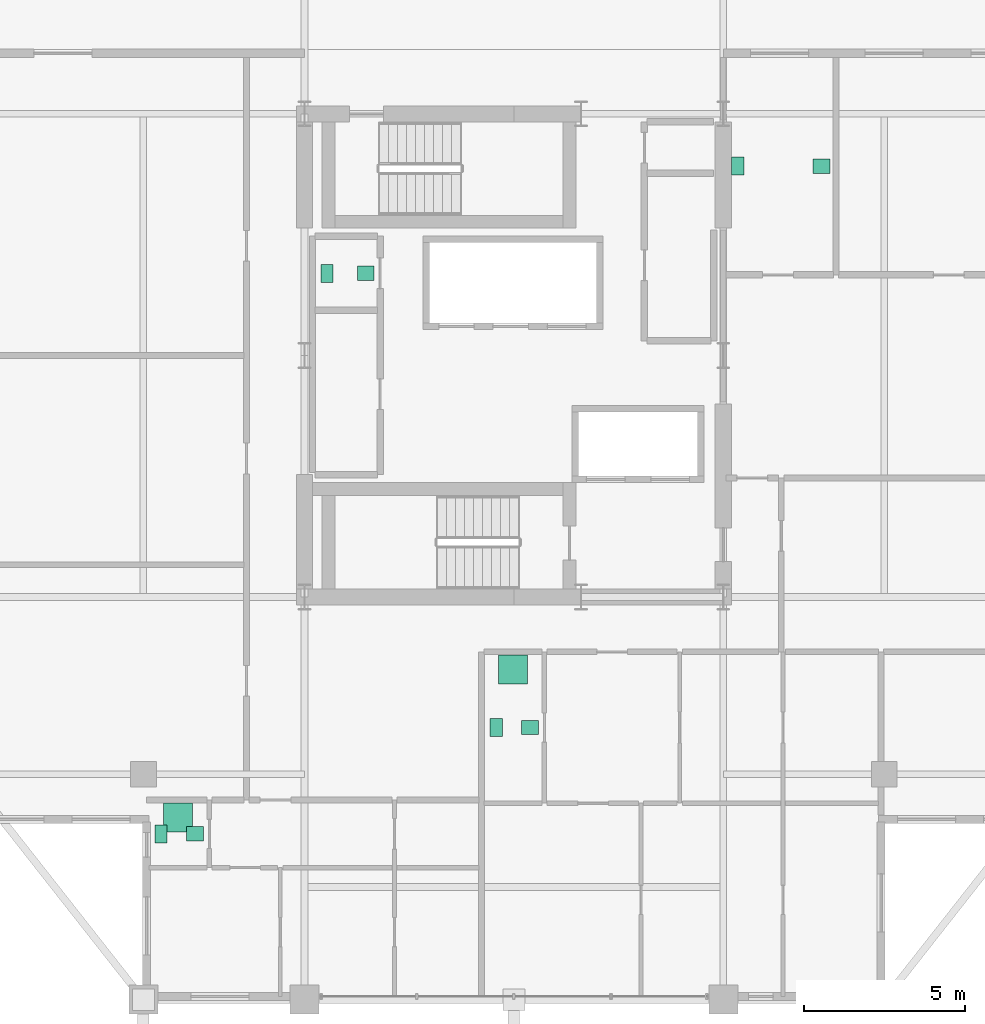
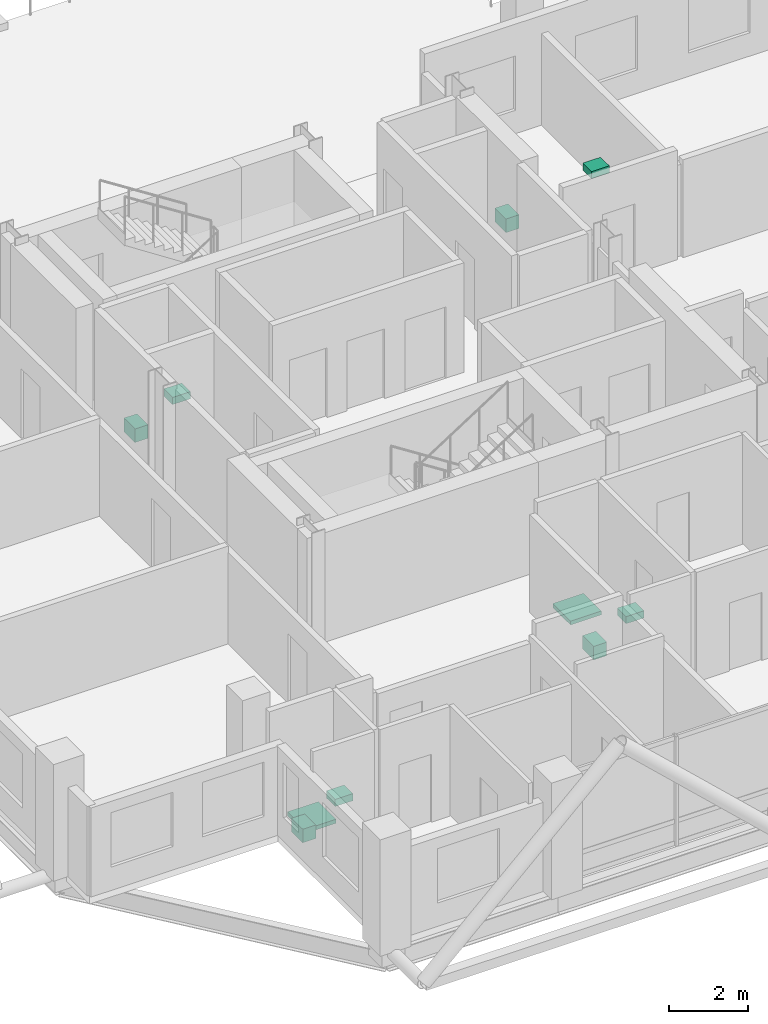
# One storey, part 21 of 21: 10 sanitary terminals.
"""IFC4 building model written with IfcOpenShell, lengths in metres."""

import ifcopenshell
import ifcopenshell.guid

model = None  # the IFC model being written
_history = None  # IfcOwnerHistory: only IFC2X3 demands one
_inside = {}  # id of a spatial element -> (the spatial element, [elements in it])
_under = {}  # id of a project, library or spatial element -> (it, [spatial elements below it])
_declared = {}  # id of a project -> (the project, [libraries it declares])
_typed = {}  # id of a type object -> (the type object, [elements of that type])
_made_of = {}  # id of a material, layer set ... -> (it, [elements and type objects made of it])


def new_model(schema):
    """Start an empty IFC model of exactly this schema.

    Asked for "IFC4X3", IfcOpenShell would pick the latest addendum, in which some entities
    have other attributes; the version numbers below select the first issue.
    IFC2X3 requires an IfcOwnerHistory on every rooted entity: one is made here for all.
    """
    global model, _history
    if schema == "IFC4X3":
        model = ifcopenshell.file(schema_version=(4, 3, 0, 0))
    else:
        model = ifcopenshell.file(schema=schema)
    _inside.clear()
    _under.clear()
    _declared.clear()
    _typed.clear()
    _made_of.clear()
    _history = None
    if model.schema == "IFC2X3":
        org = make("IfcOrganization", Name="unknown")
        user = make(
            "IfcPersonAndOrganization",
            ThePerson=make("IfcPerson", FamilyName="unknown"),
            TheOrganization=org,
        )
        app = make(
            "IfcApplication",
            ApplicationDeveloper=org,
            Version="unknown",
            ApplicationFullName="unknown",
            ApplicationIdentifier="unknown",
        )
        _history = make(
            "IfcOwnerHistory",
            OwningUser=user,
            OwningApplication=app,
            ChangeAction="ADDED",
            CreationDate=0,
        )
    return model


def make(cls, **values):
    """One entity of the class cls with the attributes given. An attribute that is None is left unset."""
    return model.create_entity(
        cls, **{name: value for name, value in values.items() if value is not None}
    )


def rooted(cls, **values):
    """An entity with a GlobalId (a new one), such as an element, a storey or a relation."""
    return make(cls, GlobalId=ifcopenshell.guid.new(), OwnerHistory=_history, **values)


def si_unit(unit_type, name, prefix=None):
    """IfcSIUnit, for example si_unit("LENGTHUNIT", "METRE", prefix="MILLI")."""
    return make("IfcSIUnit", UnitType=unit_type, Prefix=prefix, Name=name)


def assignment(units):
    """IfcUnitAssignment: the units of a project."""
    return None if units is None else make("IfcUnitAssignment", Units=units)


def point(xyz):
    """IfcCartesianPoint."""
    return None if xyz is None else make("IfcCartesianPoint", Coordinates=xyz)


def direction(xyz):
    """IfcDirection."""
    return None if xyz is None else make("IfcDirection", DirectionRatios=xyz)


def frame(location, z_axis=None, x_axis=None):
    """IfcAxis2Placement3D, a coordinate frame: its origin and axes. An axis left out is left unset."""
    return make(
        "IfcAxis2Placement3D",
        Location=point(location),
        Axis=direction(z_axis),
        RefDirection=direction(x_axis),
    )


def frame_2d(location, x_axis=None):
    """IfcAxis2Placement2D, a coordinate frame in the plane: its origin and x axis."""
    return make(
        "IfcAxis2Placement2D", Location=point(location), RefDirection=direction(x_axis)
    )


def origin():
    """The frame at (0, 0, 0) with its axes left unset."""
    return frame((0.0, 0.0, 0.0))


def origin_2d():
    """The frame at (0, 0) in the plane with its x axis left unset."""
    return frame_2d((0.0, 0.0))


def place(relative_to, where):
    """IfcLocalPlacement: puts the frame where relative to a parent placement (None: the world)."""
    return make(
        "IfcLocalPlacement", PlacementRelTo=relative_to, RelativePlacement=where
    )


def context(
    kind, dimensions, precision=None, world=None, true_north=None, identifier=None
):
    """IfcGeometricRepresentationContext, for example the 3D "Model" context."""
    return make(
        "IfcGeometricRepresentationContext",
        ContextIdentifier=identifier,
        ContextType=kind,
        CoordinateSpaceDimension=dimensions,
        Precision=precision,
        WorldCoordinateSystem=world,
        TrueNorth=true_north,
    )


def subcontext(parent, identifier, kind, view, scale=None):
    """IfcGeometricRepresentationSubContext, for example "Body" below "Model"."""
    return make(
        "IfcGeometricRepresentationSubContext",
        ContextIdentifier=identifier,
        ContextType=kind,
        ParentContext=parent,
        TargetScale=scale,
        TargetView=view,
    )


def project(units=None, contexts=None):
    """IfcProject with its units and contexts."""
    return rooted(
        "IfcProject",
        Name="project",
        RepresentationContexts=contexts,
        UnitsInContext=assignment(units),
    )


def spatial(cls, under=None, at=None, **own):
    """A site, building, storey or space (cls), placed at a placement, below another one or the project."""
    s = rooted(cls, ObjectPlacement=at, **own)
    if under is not None:
        _under.setdefault(under.id(), (under, []))[1].append(s)
    return s


def profile(cls, at=None, kind="AREA", **sizes):
    """A parametric profile (cls). Its sizes go by their IFC names, for example OverallWidth=200.0."""
    return make(cls, ProfileType=kind, Position=at, **sizes)


def rectangle(**sizes):
    """IfcRectangleProfileDef."""
    return profile("IfcRectangleProfileDef", **sizes)


def extrude(swept, where, along, depth):
    """IfcExtrudedAreaSolid: the profile swept, set in the frame where, extruded along a direction by depth."""
    return make(
        "IfcExtrudedAreaSolid",
        SweptArea=swept,
        Position=where,
        ExtrudedDirection=direction(along),
        Depth=depth,
    )


def shape(context_of_items, identifier, shape_type, items):
    """IfcShapeRepresentation: the items that make up one representation, for example the "Body"."""
    return make(
        "IfcShapeRepresentation",
        ContextOfItems=context_of_items,
        RepresentationIdentifier=identifier,
        RepresentationType=shape_type,
        Items=items,
    )


def material(Name=None, Category=None):
    """IfcMaterial."""
    return make("IfcMaterial", Name=Name, Category=Category)


def made_of(thing, what):
    """Note that an element or type object is made of a material, layer set ...; save() writes the relation."""
    if what is not None:
        _made_of.setdefault(what.id(), (what, []))[1].append(thing)
    return thing


def type_object(cls, material=None, **own):
    """A type object (cls), such as IfcWallType, which elements share."""
    return made_of(rooted(cls, **own), material)


def element(
    cls,
    number,
    at=None,
    inside=None,
    cuts=None,
    type_object=None,
    material=None,
    context=None,
    identifier="Body",
    shape_type=None,
    held_by="IfcProductDefinitionShape",
    body=None,
    shapes=None,
    **own,
):
    """One element of the class cls, such as IfcWall. Its Tag is "e" and its number.

    at: its placement. inside: the storey or other place that contains it. cuts: it is an
    opening in that element (IfcRelVoidsElement). A single representation is given by context,
    identifier, shape_type and body (its items); several are given by shapes. held_by: the class
    of the entity that holds the representations. save() writes the other relations.
    """
    e = rooted(cls, Tag="e%d" % number, ObjectPlacement=at, **own)
    if body is not None:
        shapes = [shape(context, identifier, shape_type, body)]
    if shapes is not None:
        e.Representation = make(held_by, Representations=shapes)
    if inside is not None:
        _inside.setdefault(inside.id(), (inside, []))[1].append(e)
    if cuts is not None:
        rooted(
            "IfcRelVoidsElement", RelatingBuildingElement=cuts, RelatedOpeningElement=e
        )
    if type_object is not None:
        _typed.setdefault(type_object.id(), (type_object, []))[1].append(e)
    return made_of(e, material)


def aggregate(whole, parts):
    """IfcRelAggregates: a whole, such as a stair, and the parts it consists of."""
    return rooted("IfcRelAggregates", RelatingObject=whole, RelatedObjects=parts)


def save(model, path):
    """Write the relations noted so far, then the file.

    IfcRelAggregates (storeys below a building ...), IfcRelContainedInSpatialStructure (elements
    in a storey), IfcRelDefinesByType, IfcRelAssociatesMaterial and IfcRelDeclares: one each for
    every whole, place, type object, material and project.
    """
    for whole, parts in _under.values():
        aggregate(whole, parts)
    for where, things in _inside.values():
        rooted(
            "IfcRelContainedInSpatialStructure",
            RelatedElements=things,
            RelatingStructure=where,
        )
    for kind, things in _typed.values():
        rooted("IfcRelDefinesByType", RelatedObjects=things, RelatingType=kind)
    for what, things in _made_of.values():
        rooted("IfcRelAssociatesMaterial", RelatedObjects=things, RelatingMaterial=what)
    for by, libraries in _declared.values():
        rooted("IfcRelDeclares", RelatingContext=by, RelatedDefinitions=libraries)
    model.write(path)


model = new_model("IFC4")

# Units and contexts
model_context = context("Model", 3, precision=1e-05, world=origin(), true_north=direction((0.0, 1.0)))
body_context = subcontext(model_context, "Body", "Model", "MODEL_VIEW")
ifc_project = project(units=[si_unit("LENGTHUNIT", "METRE"), si_unit("AREAUNIT", "SQUARE_METRE"), si_unit("VOLUMEUNIT", "CUBIC_METRE"), si_unit("PLANEANGLEUNIT", "RADIAN"), si_unit("MASSUNIT", "GRAM", prefix="KILO")], contexts=[model_context])

# Site, building, storey
site_placement = place(None, origin())
site = spatial("IfcSite", under=ifc_project, at=site_placement, CompositionType="ELEMENT")
building_placement = place(site_placement, origin())
building = spatial("IfcBuilding", under=site, at=building_placement, Name="Barlavira Tower and Art Museum", CompositionType="ELEMENT")
storey_placement = place(building_placement, frame((0.0, 0.0, 261.89990234375)))
storey = spatial("IfcBuildingStorey", under=building, at=storey_placement, Name="L68", CompositionType="ELEMENT", Elevation=261.89990234375)

# Sanitary terminals
ifc_material = material(Name="Vitreous glazed ceramic", Category="ceramic")
sanitary_terminal_type_1 = type_object("IfcSanitaryTerminalType", Name="Countertop Ceramic Wash Hand Basin", PredefinedType="WASHHANDBASIN", material=ifc_material)
for number, where, z_axis, x_axis, name in (
    (1, (-4.60009765625, 2.550048828125, 0.740234375), (0.0, 0.0, 1.0), (1.0, 0.0, 0.0), "L68-C-REC1W Wash Basin"),
    (2, (-9.89990234375, -14.85009765625, 0.740234375), (0.0, 0.0, 1.0), (1.0, 0.0, 0.0), "L68-WP-SW-BTH1 Wash Basin"),
    (3, (0.5, -11.550048828125, 0.740234375), (0.0, 0.0, 1.0), (1.0, 0.0, 0.0), "L68-WP-SE-BTH1 Wash Basin"),
    (4, (9.550048828125, 5.875, 0.740234375), (0.0, 0.0, 1.0), (1.0, 0.0, 0.0), "L68-WP-AWC Wash Basin"),
):
    element("IfcSanitaryTerminal", number, at=place(storey_placement, frame(where, z_axis=z_axis, x_axis=x_axis)), inside=storey, type_object=sanitary_terminal_type_1, Name=name, PredefinedType="WASHHANDBASIN", context=body_context, shape_type="SweptSolid", body=[
        extrude(rectangle(XDim=0.52001953125, YDim=0.43994140625, at=origin_2d()), origin(), (0.0, 0.0, 1.0), 0.219970703125),
    ])
sanitary_terminal_type_2 = type_object("IfcSanitaryTerminalType", Name="Walk-In Thermostatic Rain Shower Unit", PredefinedType="SHOWER", material=ifc_material)
for number, where, z_axis, x_axis, name in (
    (5, (-10.425048828125, -14.35009765625, 0.0), (0.0, 0.0, 1.0), (1.0, 0.0, 0.0), "L68-WP-SW-BTH1 Rain Shower"),
    (6, (-0.02490234375, -9.75, 0.0), (0.0, 0.0, 1.0), (1.0, 0.0, 0.0), "L68-WP-SE-BTH1 Rain Shower"),
):
    element("IfcSanitaryTerminal", number, at=place(storey_placement, frame(where, z_axis=z_axis, x_axis=x_axis)), inside=storey, type_object=sanitary_terminal_type_2, Name=name, PredefinedType="SHOWER", context=body_context, shape_type="SweptSolid", body=[
        extrude(rectangle(XDim=0.89990234375, YDim=0.89990234375, at=origin_2d()), origin(), (0.0, 0.0, 1.0), 0.1201171875),
    ])
sanitary_terminal_type_3 = type_object("IfcSanitaryTerminalType", Name="Wall-Hung Dual-Flush Vitreous WC Pan", PredefinedType="TOILETPAN", material=ifc_material)
for number, where, z_axis, x_axis, name in (
    (7, (-5.800048828125, 2.550048828125, 0.000244140625), (0.0, 0.0, 1.0), (1.0, 0.0, 0.0), "L68-C-REC1W WC Pan"),
    (8, (-10.949951171875, -14.85009765625, 0.000244140625), (0.0, 0.0, 1.0), (1.0, 0.0, 0.0), "L68-WP-SW-BTH1 WC Pan"),
    (9, (-0.550048828125, -11.550048828125, 0.000244140625), (0.0, 0.0, 1.0), (1.0, 0.0, 0.0), "L68-WP-SE-BTH1 WC Pan"),
    (10, (6.949951171875, 5.875, 0.000244140625), (0.0, 0.0, 1.0), (1.0, 0.0, 0.0), "L68-WP-AWC WC Pan"),
):
    element("IfcSanitaryTerminal", number, at=place(storey_placement, frame(where, z_axis=z_axis, x_axis=x_axis)), inside=storey, type_object=sanitary_terminal_type_3, Name=name, PredefinedType="TOILETPAN", context=body_context, shape_type="SweptSolid", body=[
        extrude(rectangle(XDim=0.3798828125, YDim=0.56005859375, at=origin_2d()), origin(), (0.0, 0.0, 1.0), 0.419921875),
    ])

save(model, "model.ifc")
